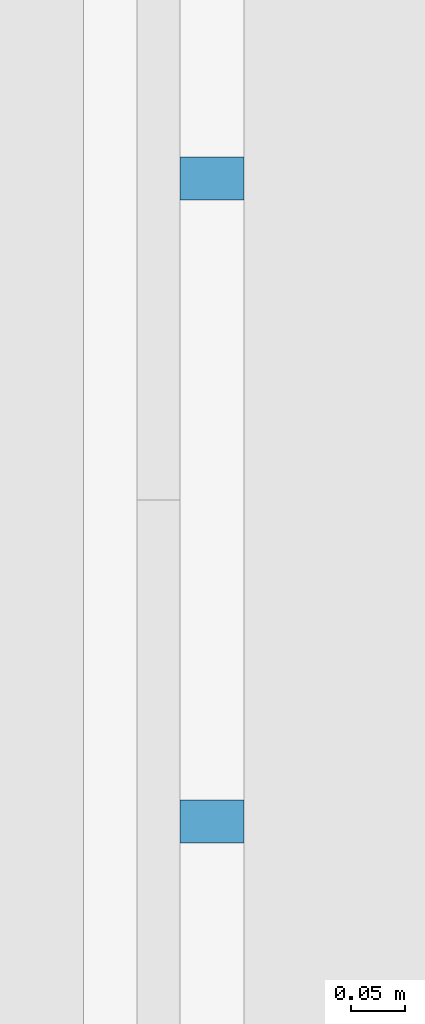
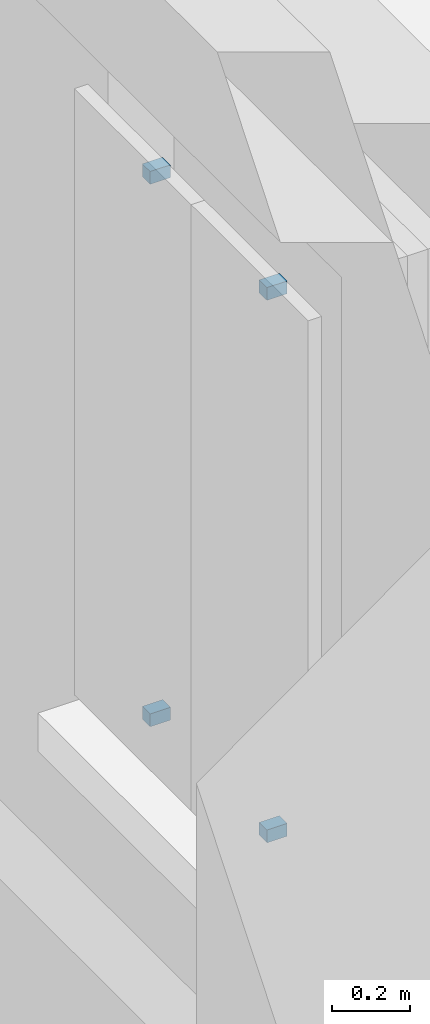
# One storey, part 49 of 69: 4 discrete accessories.
"""IFC4 building model written with IfcOpenShell, lengths in metres."""

from ifc_helpers import new_model, si_unit, direction, frame, origin, origin_2d, place, context, subcontext, project, spatial, rectangle, extrude, material, type_object, element, save


model = new_model("IFC4")

# Units and contexts
model_context = context("Model", 3, precision=1e-05, world=origin(), true_north=direction((0.0, 1.0)))
body_context = subcontext(model_context, "Body", "Model", "MODEL_VIEW")
ifc_project = project(units=[si_unit("LENGTHUNIT", "METRE"), si_unit("AREAUNIT", "SQUARE_METRE"), si_unit("VOLUMEUNIT", "CUBIC_METRE"), si_unit("PLANEANGLEUNIT", "RADIAN"), si_unit("MASSUNIT", "GRAM", prefix="KILO")], contexts=[model_context])

# Site, building, storey
site_placement = place(None, origin())
site = spatial("IfcSite", under=ifc_project, at=site_placement, CompositionType="ELEMENT")
building_placement = place(site_placement, origin())
building = spatial("IfcBuilding", under=site, at=building_placement, Name="Mazhai Court Health Centre", CompositionType="ELEMENT")
storey_placement = place(building_placement, frame((0.0, 0.0, 6.300048828125)))
storey = spatial("IfcBuildingStorey", under=building, at=storey_placement, Name="L01", CompositionType="ELEMENT", Elevation=6.300048828125)

# Discrete accessories
ifc_material = material(Name="Steel IS 2062 E250", Category="steel")
discrete_accessory_type = type_object("IfcDiscreteAccessoryType", Name="BRACKET 40", PredefinedType="BRACKET", material=ifc_material)
for number, where, z_axis, x_axis, name in (
    (1, (6.0048828125, 29.300048828125, 0.780029296875), (0.0, 0.0, 1.0), (0.0, 1.0, 0.0), "BR-V2-L01-A30a0"),
    (2, (6.0048828125, 29.300048828125, 2.47998046875), (0.0, 0.0, 1.0), (0.0, 1.0, 0.0), "BR-V2-L01-A30a1"),
    (3, (6.0048828125, 29.89990234375, 0.780029296875), (0.0, 0.0, 1.0), (0.0, 1.0, 0.0), "BR-V2-L01-A30b0"),
    (4, (6.0048828125, 29.89990234375, 2.47998046875), (0.0, 0.0, 1.0), (0.0, 1.0, 0.0), "BR-V2-L01-A30b1"),
):
    element("IfcDiscreteAccessory", number, at=place(storey_placement, frame(where, z_axis=z_axis, x_axis=x_axis)), inside=storey, type_object=discrete_accessory_type, Name=name, PredefinedType="BRACKET", context=body_context, shape_type="SweptSolid", body=[
        extrude(rectangle(XDim=0.0400390625, YDim=0.06005859375, at=origin_2d()), origin(), (0.0, 0.0, 1.0), 0.0400390625),
    ])

save(model, "model.ifc")
